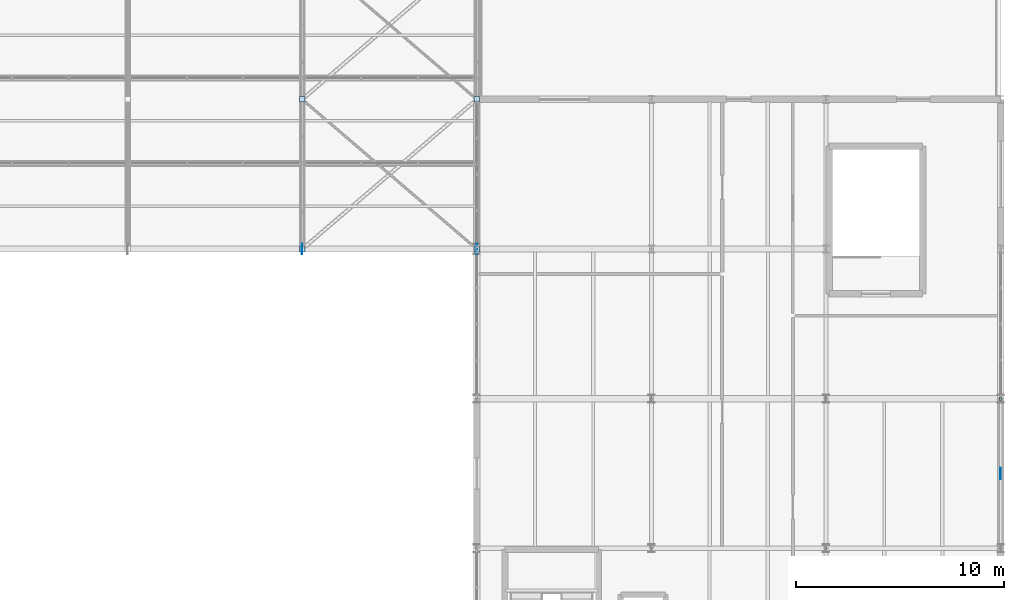
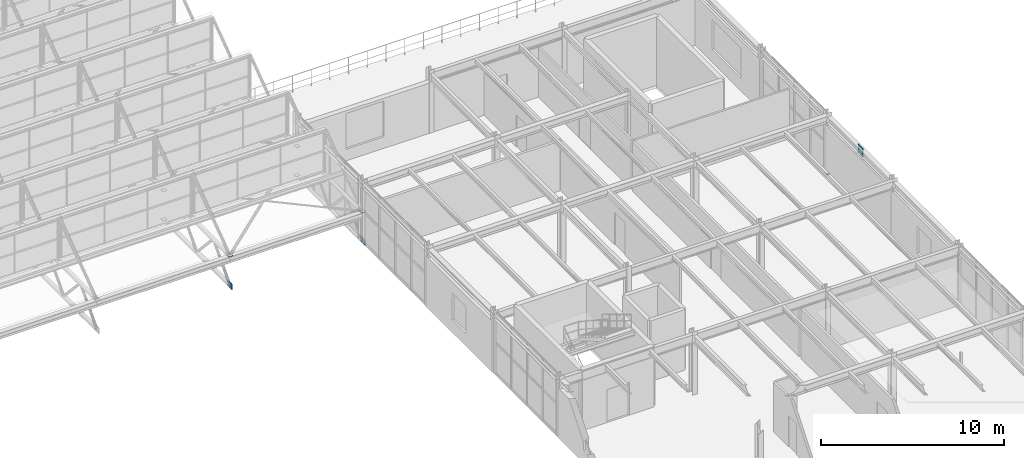
# One storey, part 125 of 134: 10 plates.
"""IFC4 building model written with IfcOpenShell, lengths in metres."""

from ifc_helpers import new_model, si_unit, derived_unit, direction, frame, origin, origin_2d, place, context, subcontext, project, spatial, rectangle, extrude, material, layer, layer_set, type_object, element, save


model = new_model("IFC4")

# Units and contexts
model_context = context("Model", 3, precision=1e-05, world=origin(), true_north=direction((0.0, 1.0)))
body_context = subcontext(model_context, "Body", "Model", "MODEL_VIEW")
ifc_project = project(units=[si_unit("LENGTHUNIT", "METRE"), si_unit("AREAUNIT", "SQUARE_METRE"), si_unit("VOLUMEUNIT", "CUBIC_METRE"), si_unit("PLANEANGLEUNIT", "RADIAN"), si_unit("MASSUNIT", "GRAM", prefix="KILO"), derived_unit("THERMALTRANSMITTANCEUNIT", [(si_unit("MASSUNIT", "GRAM", prefix="KILO"), 1), (si_unit("TIMEUNIT", "SECOND"), -3), (si_unit("THERMODYNAMICTEMPERATUREUNIT", "KELVIN"), -1)])], contexts=[model_context])

# Site, building, storey
site_placement = place(None, origin())
site = spatial("IfcSite", under=ifc_project, at=site_placement, CompositionType="ELEMENT")
building_placement = place(site_placement, origin())
building = spatial("IfcBuilding", under=site, at=building_placement, Name="Kharveza Railside Sports Centre", CompositionType="ELEMENT")
storey_placement = place(building_placement, frame((0.0, 0.0, 12.89990234375)))
storey = spatial("IfcBuildingStorey", under=building, at=storey_placement, Name="L03", CompositionType="ELEMENT", Elevation=12.89990234375)

# Plates
ifc_material = material(Name="Steel S355J2", Category="steel")
ifc_layer_1 = layer(ifc_material, 0.02001953125, Name="Steel S355J2")
ifc_layer_set_1 = layer_set([ifc_layer_1], Name="Steel S355J2")
plate_type_1 = type_object("IfcPlateType", Name="PL-EC05", PredefinedType="USERDEFINED", material=ifc_layer_set_1)
for number, where, z_axis, x_axis, name in (
    (1, (134.39990234375, 79.199951171875, 1.940185546875), (0.0, 0.0, 1.0), (1.0, 0.0, 0.0), "PLT-EC-130"),
    (2, (134.39990234375, 86.39990234375, -0.010009765625), (0.0, 0.0, 1.0), (1.0, 0.0, 0.0), "PLT-EC-131"),
    (3, (134.39990234375, 86.39990234375, 1.940185546875), (0.0, 0.0, 1.0), (1.0, 0.0, 0.0), "PLT-EC-132"),
    (4, (142.800048828125, 79.199951171875, 1.940185546875), (0.0, 0.0, 1.0), (1.0, 0.0, 0.0), "PLT-EC-134"),
    (5, (142.800048828125, 86.39990234375, -0.010009765625), (0.0, 0.0, 1.0), (1.0, 0.0, 0.0), "PLT-EC-135"),
    (6, (142.800048828125, 86.39990234375, 1.940185546875), (0.0, 0.0, 1.0), (1.0, 0.0, 0.0), "PLT-EC-136"),
):
    element("IfcPlate", number, at=place(storey_placement, frame(where, z_axis=z_axis, x_axis=x_axis)), inside=storey, type_object=plate_type_1, Name=name, ObjectType="END_CAP_PLATE", PredefinedType="USERDEFINED", context=body_context, shape_type="SweptSolid", body=[
        extrude(rectangle(XDim=0.27294921875, YDim=0.27294921875, at=origin_2d()), origin(), (0.0, 0.0, 1.0), 0.02001953125),
    ])
ifc_layer_2 = layer(ifc_material, 0.02001953125, Name="Steel S355J2")
ifc_layer_set_2 = layer_set([ifc_layer_2], Name="Steel S355J2")
plate_type_2 = type_object("IfcPlateType", Name="PL-EC11", PredefinedType="USERDEFINED", material=ifc_layer_set_2)
plate_1_placement = place(storey_placement, frame((168.0, 72.0, -0.010009765625), z_axis=(0.0, 0.0, 1.0), x_axis=(1.0, 0.0, 0.0)))
element("IfcPlate", 7, at=plate_1_placement, inside=storey, type_object=plate_type_2, Name="PLT-EC-179", ObjectType="END_CAP_PLATE", PredefinedType="USERDEFINED", context=body_context, shape_type="SweptSolid", body=[
    extrude(rectangle(XDim=0.14990234375, YDim=0.14990234375, at=origin_2d()), origin(), (0.0, 0.0, 1.0), 0.02001953125),
])
ifc_layer_3 = layer(ifc_material, 0.02197265625, Name="Steel S355J2")
ifc_layer_set_3 = layer_set([ifc_layer_3], Name="Steel S355J2")
plate_type_3 = type_object("IfcPlateType", Name="PL-GS03", PredefinedType="USERDEFINED", material=ifc_layer_set_3)
for number, where, z_axis, x_axis, name in (
    (8, (134.39990234375, 79.199951171875, -0.199951171875), (0.0, 0.0, 1.0), (1.0, 0.0, 0.0), "PLT-GS-V2-6-S"),
    (9, (142.800048828125, 79.199951171875, -0.199951171875), (0.0, 0.0, 1.0), (1.0, 0.0, 0.0), "PLT-GS-V2-7-S"),
):
    element("IfcPlate", number, at=place(storey_placement, frame(where, z_axis=z_axis, x_axis=x_axis)), inside=storey, type_object=plate_type_3, Name=name, ObjectType="GUSSET_PLATE", PredefinedType="USERDEFINED", context=body_context, shape_type="SweptSolid", body=[
        extrude(rectangle(XDim=0.02197265625, YDim=0.52001953125, at=origin_2d()), origin(), (0.0, 0.0, 1.0), 0.39990234375),
    ])
ifc_layer_4 = layer(ifc_material, 0.028076171875, Name="Steel S355J2")
ifc_layer_set_4 = layer_set([ifc_layer_4], Name="Steel S355J2")
plate_type_4 = type_object("IfcPlateType", Name="PL-GS05", PredefinedType="USERDEFINED", material=ifc_layer_set_4)
plate_2_placement = place(storey_placement, frame((168.0, 68.39990234375, 3.469970703125), z_axis=(0.0, 0.0, 1.0), x_axis=(1.0, 0.0, 0.0)))
element("IfcPlate", 10, at=plate_2_placement, inside=storey, type_object=plate_type_4, Name="PLT-GS-CHEVN-021", ObjectType="GUSSET_PLATE", PredefinedType="USERDEFINED", context=body_context, shape_type="SweptSolid", body=[
    extrude(rectangle(XDim=0.028076171875, YDim=0.56005859375, at=origin_2d()), origin(), (0.0, 0.0, 1.0), 0.56005859375),
])

save(model, "model.ifc")
